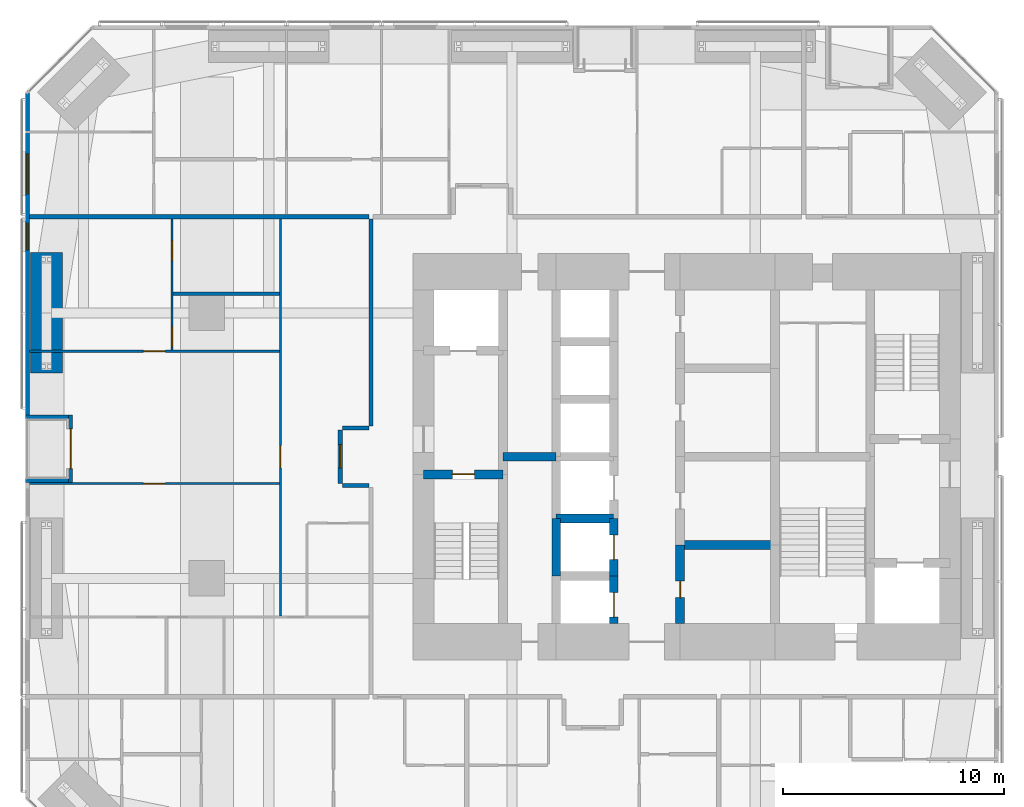
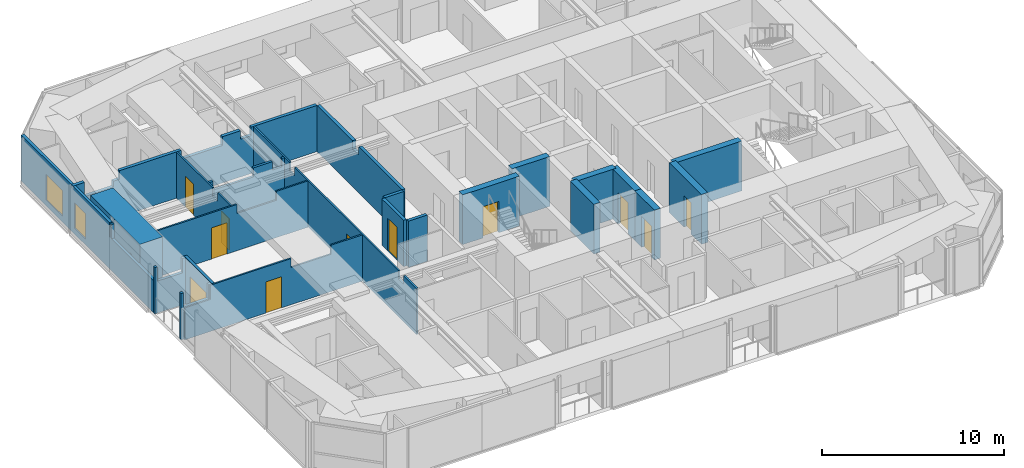
# One storey, part 18 of 23: 23 walls, 11 doors, 2 windows, 13 openings.
"""IFC4 building model written with IfcOpenShell, lengths in metres."""

from ifc_helpers import new_model, si_unit, direction, frame, frame_2d, origin, place, context, subcontext, project, spatial, polyline, rectangle, outline, extrude, material, layer, layer_set, constituent, constituent_set, type_object, element, fill, save


model = new_model("IFC4")

# Units and contexts
model_context = context("Model", 3, precision=1e-05, world=origin(), true_north=direction((0.0, 1.0)))
body_context = subcontext(model_context, "Body", "Model", "MODEL_VIEW")
ifc_project = project(units=[si_unit("LENGTHUNIT", "METRE"), si_unit("AREAUNIT", "SQUARE_METRE"), si_unit("VOLUMEUNIT", "CUBIC_METRE"), si_unit("PLANEANGLEUNIT", "RADIAN"), si_unit("MASSUNIT", "GRAM", prefix="KILO")], contexts=[model_context])

# Site, building, storey
site_placement = place(None, origin())
site = spatial("IfcSite", under=ifc_project, at=site_placement, CompositionType="ELEMENT")
building_placement = place(site_placement, origin())
building = spatial("IfcBuilding", under=site, at=building_placement, Name="Jalousie Tower", CompositionType="ELEMENT")
storey_placement = place(building_placement, frame((0.0, 0.0, 24.35009765625)))
storey = spatial("IfcBuildingStorey", under=building, at=storey_placement, Name="L05", CompositionType="ELEMENT", Elevation=24.35009765625)

# Walls
ifc_material_1 = material(Name="Concrete block ASTM C90", Category="concrete")
ifc_constituent_1 = constituent(ifc_material_1, Name="Body")
ifc_material_2 = material(Name="Render")
ifc_constituent_2 = constituent(ifc_material_2, Name="Finish")
ifc_constituent_set_1 = constituent_set(constituents=[ifc_constituent_1, ifc_constituent_2])
wall_type_1 = type_object("IfcWallType", Name="BATHROOM WALL 150", PredefinedType="PLUMBINGWALL", material=ifc_constituent_set_1)
wall_1_placement = place(storey_placement, frame((8.675048828125, 25.875, 0.0), z_axis=(0.0, 0.0, 1.0), x_axis=(1.0, 0.0, 0.0)))
element("IfcWall", 1, at=wall_1_placement, inside=storey, type_object=wall_type_1, Name="Bathroom Wall 150 L05", PredefinedType="PLUMBINGWALL", context=body_context, shape_type="SweptSolid", body=[
    extrude(outline(polyline([(0.0, 0.0), (4.800048828125, 0.0), (4.800048828125, 3.10986328125), (4.63720703125, 3.10986328125), (4.63720703125, 2.541015625), (4.0126953125, 2.541015625), (4.0126953125, 3.10986328125), (2.81005859375, 3.10986328125), (2.81005859375, 2.510009765625), (0.239990234375, 2.510009765625), (0.239990234375, 3.10986328125), (0.0, 3.10986328125), (0.0, 0.0)])), frame((0.0, 0.074951171875, 0.0), z_axis=(0.0, -1.0, 0.0), x_axis=(1.0, 0.0, 0.0)), (0.0, 0.0, 1.0), 0.14990234375),
])
ifc_material_3 = material(Name="Concrete f'c 120 MPa", Category="concrete")
ifc_layer_1 = layer(ifc_material_3, 0.39990234375)
ifc_layer_set_1 = layer_set([ifc_layer_1], Name="Concrete f'c 120 MPa")
wall_type_2 = type_object("IfcWallType", Name="CORE WALL 400", PredefinedType="SHEAR", material=ifc_layer_set_1)
wall_2_placement = place(storey_placement, frame((26.0, 13.10009765625, 0.0), z_axis=(0.0, 0.0, 1.0), x_axis=(0.0, 1.0, 0.0)))
element("IfcWall", 2, at=wall_2_placement, inside=storey, type_object=wall_type_2, Name="Core wall X26B L05", PredefinedType="SHEAR", context=body_context, shape_type="SweptSolid", body=[
    extrude(rectangle(XDim=2.599853515625, YDim=0.39990234375, at=frame_2d((1.2998046875, 0.0))), origin(), (0.0, 0.0, 1.0), 3.349853515625),
])

# Wall, opening, door
wall_3_placement = place(storey_placement, frame((28.60009765625, 10.949951171875, 0.0), z_axis=(0.0, 0.0, 1.0), x_axis=(0.0, 1.0, 0.0)))
wall_3 = element("IfcWall", 3, at=wall_3_placement, inside=storey, type_object=wall_type_2, Name="Core wall X28.6A L05", PredefinedType="SHEAR", context=body_context, shape_type="SweptSolid", body=[
    extrude(rectangle(XDim=2.150146484375, YDim=0.39990234375, at=frame_2d((1.0751953125, 0.0))), origin(), (0.0, 0.0, 1.0), 3.349853515625),
])
opening_1_placement = place(wall_3_placement, frame((0.300048828125, 0.0, 0.0)))
opening_1 = element("IfcOpeningElement", 4, at=opening_1_placement, cuts=wall_3, Name="Opening LD1", PredefinedType="OPENING", context=body_context, shape_type="SweptSolid", body=[
    extrude(rectangle(XDim=1.10009765625, YDim=2.10009765625, at=frame_2d((0.550048828125, 1.050048828125))), frame((0.0, 0.2099609375, 0.0), z_axis=(0.0, -1.0, 0.0), x_axis=(1.0, 0.0, 0.0)), (0.0, 0.0, 1.0), 0.419921875),
])
ifc_material_4 = material(Name="Steel lift landing door", Category="steel")
door_type_1 = type_object("IfcDoorType", Name="LIFT LANDING DOOR 1100", OperationType="SLIDING_TO_LEFT", PredefinedType="DOOR", material=ifc_material_4)
door_1_placement = place(opening_1_placement, origin())
door_1 = element("IfcDoor", 5, at=door_1_placement, inside=storey, type_object=door_type_1, Name="Lift P1 landing door", OperationType="SLIDING_TO_LEFT", OverallHeight=2.10009765625, OverallWidth=1.10009765625, PredefinedType="DOOR", context=body_context, shape_type="SweptSolid", body=[
    extrude(rectangle(XDim=1.10009765625, YDim=2.10009765625, at=frame_2d((0.550048828125, 1.050048828125))), frame((0.0, 0.02490234375, 0.0), z_axis=(0.0, -1.0, 0.0), x_axis=(1.0, 0.0, 0.0)), (0.0, 0.0, 1.0), 0.050048828125),
])
fill(opening_1, door_1)

wall_4_placement = place(storey_placement, frame((28.60009765625, 13.10009765625, 0.0), z_axis=(0.0, 0.0, 1.0), x_axis=(0.0, 1.0, 0.0)))
wall_4 = element("IfcWall", 6, at=wall_4_placement, inside=storey, type_object=wall_type_2, Name="Core wall X28.6B L05", PredefinedType="SHEAR", context=body_context, shape_type="SweptSolid", body=[
    extrude(rectangle(XDim=2.599853515625, YDim=0.39990234375, at=frame_2d((1.2998046875, 0.0))), origin(), (0.0, 0.0, 1.0), 3.349853515625),
])
opening_2_placement = place(wall_4_placement, frame((0.75, 0.0, 0.0)))
opening_2 = element("IfcOpeningElement", 7, at=opening_2_placement, cuts=wall_4, Name="Opening LD1", PredefinedType="OPENING", context=body_context, shape_type="SweptSolid", body=[
    extrude(rectangle(XDim=1.10009765625, YDim=2.10009765625, at=frame_2d((0.550048828125, 1.050048828125))), frame((0.0, 0.2099609375, 0.0), z_axis=(0.0, -1.0, 0.0), x_axis=(1.0, 0.0, 0.0)), (0.0, 0.0, 1.0), 0.419921875),
])
door_2_placement = place(opening_2_placement, origin())
door_2 = element("IfcDoor", 8, at=door_2_placement, inside=storey, type_object=door_type_1, Name="Lift P2 landing door", OperationType="SLIDING_TO_LEFT", OverallHeight=2.10009765625, OverallWidth=1.10009765625, PredefinedType="DOOR", context=body_context, shape_type="SweptSolid", body=[
    extrude(rectangle(XDim=1.10009765625, YDim=2.10009765625, at=frame_2d((0.550048828125, 1.050048828125))), frame((0.0, 0.02490234375, 0.0), z_axis=(0.0, -1.0, 0.0), x_axis=(1.0, 0.0, 0.0)), (0.0, 0.0, 1.0), 0.050048828125),
])
fill(opening_2, door_2)

wall_5_placement = place(storey_placement, frame((31.60009765625, 10.949951171875, 0.0), z_axis=(0.0, 0.0, 1.0), x_axis=(0.0, 1.0, 0.0)))
wall_5 = element("IfcWall", 9, at=wall_5_placement, inside=storey, type_object=wall_type_2, Name="Core wall X31.6A L05", PredefinedType="SHEAR", context=body_context, shape_type="SweptSolid", body=[
    extrude(rectangle(XDim=3.550048828125, YDim=0.39990234375, at=frame_2d((1.77490234375, 0.0))), origin(), (0.0, 0.0, 1.0), 3.349853515625),
])
opening_3_placement = place(wall_5_placement, frame((1.175048828125, 0.0, 0.0)))
opening_3 = element("IfcOpeningElement", 10, at=opening_3_placement, cuts=wall_5, Name="Opening D16", PredefinedType="OPENING", context=body_context, shape_type="SweptSolid", body=[
    extrude(rectangle(XDim=0.75, YDim=2.10009765625, at=frame_2d((0.375, 1.050048828125))), frame((0.0, 0.2099609375, 0.0), z_axis=(0.0, -1.0, 0.0), x_axis=(1.0, 0.0, 0.0)), (0.0, 0.0, 1.0), 0.419921875),
])
ifc_material_5 = material(Name="Steel fire door", Category="steel")
door_type_2 = type_object("IfcDoorType", Name="RISER DOOR 750", OperationType="SINGLE_SWING_LEFT", PredefinedType="DOOR", material=ifc_material_5)
door_3_placement = place(opening_3_placement, frame((0.75, 0.0, 0.0), z_axis=(0.0, 0.0, 1.0), x_axis=(-1.0, 0.0, 0.0)))
door_3 = element("IfcDoor", 11, at=door_3_placement, inside=storey, type_object=door_type_2, Name="Refuse Room door", OperationType="SINGLE_SWING_RIGHT", OverallHeight=2.10009765625, OverallWidth=0.75, PredefinedType="DOOR", context=body_context, shape_type="SweptSolid", body=[
    extrude(rectangle(XDim=0.75, YDim=2.10009765625, at=frame_2d((0.375, 1.050048828125))), frame((0.0, 0.02490234375, 0.0), z_axis=(0.0, -1.0, 0.0), x_axis=(1.0, 0.0, 0.0)), (0.0, 0.0, 1.0), 0.050048828125),
])
fill(opening_3, door_3)

wall_6_placement = place(storey_placement, frame((20.0, 17.699951171875, 0.0), z_axis=(0.0, 0.0, 1.0), x_axis=(1.0, 0.0, 0.0)))
wall_6 = element("IfcWall", 12, at=wall_6_placement, inside=storey, type_object=wall_type_2, Name="Core wall Y20-17.7 L05", PredefinedType="SHEAR", context=body_context, shape_type="SweptSolid", body=[
    extrude(rectangle(XDim=3.60009765625, YDim=0.39990234375, at=frame_2d((1.800048828125, 0.0))), origin(), (0.0, 0.0, 1.0), 3.349853515625),
])
opening_4_placement = place(wall_6_placement, frame((1.300048828125, 0.0, 0.0)))
opening_4 = element("IfcOpeningElement", 13, at=opening_4_placement, cuts=wall_6, Name="Opening D10", PredefinedType="OPENING", context=body_context, shape_type="SweptSolid", body=[
    extrude(rectangle(XDim=1.0, YDim=2.10009765625, at=frame_2d((0.5, 1.050048828125))), frame((0.0, 0.2099609375, 0.0), z_axis=(0.0, -1.0, 0.0), x_axis=(1.0, 0.0, 0.0)), (0.0, 0.0, 1.0), 0.419921875),
])
ifc_material_6 = material(Name="Steel fire door", Category="steel")
door_type_3 = type_object("IfcDoorType", Name="STAIR DOOR 1000", OperationType="SINGLE_SWING_LEFT", PredefinedType="DOOR", material=ifc_material_6)
door_4_placement = place(opening_4_placement, frame((1.0, 0.0, 0.0), z_axis=(0.0, 0.0, 1.0), x_axis=(-1.0, 0.0, 0.0)))
door_4 = element("IfcDoor", 14, at=door_4_placement, inside=storey, type_object=door_type_3, Name="Exit stair A door", OperationType="SINGLE_SWING_RIGHT", OverallHeight=2.10009765625, OverallWidth=1.0, PredefinedType="DOOR", context=body_context, shape_type="SweptSolid", body=[
    extrude(rectangle(XDim=1.0, YDim=2.10009765625, at=frame_2d((0.5, 1.050048828125))), frame((0.0, 0.02490234375, 0.0), z_axis=(0.0, -1.0, 0.0), x_axis=(1.0, 0.0, 0.0)), (0.0, 0.0, 1.0), 0.050048828125),
])
fill(opening_4, door_4)

# Walls
wall_7_placement = place(storey_placement, frame((23.60009765625, 18.5, 0.0), z_axis=(0.0, 0.0, 1.0), x_axis=(1.0, 0.0, 0.0)))
element("IfcWall", 15, at=wall_7_placement, inside=storey, type_object=wall_type_2, Name="Core wall Y23.6-18.5 L05", PredefinedType="SHEAR", context=body_context, shape_type="SweptSolid", body=[
    extrude(rectangle(XDim=2.39990234375, YDim=0.39990234375, at=frame_2d((1.199951171875, 0.0))), origin(), (0.0, 0.0, 1.0), 3.349853515625),
])
wall_8_placement = place(storey_placement, frame((26.0, 15.699951171875, 0.0), z_axis=(0.0, 0.0, 1.0), x_axis=(1.0, 0.0, 0.0)))
element("IfcWall", 16, at=wall_8_placement, inside=storey, type_object=wall_type_2, Name="Core wall Y26-15.7 L05", PredefinedType="SHEAR", context=body_context, shape_type="SweptSolid", body=[
    extrude(rectangle(XDim=2.60009765625, YDim=0.39990234375, at=frame_2d((1.300048828125, 0.0))), origin(), (0.0, 0.0, 1.0), 3.349853515625),
])
wall_9_placement = place(storey_placement, frame((31.60009765625, 14.5, 0.0), z_axis=(0.0, 0.0, 1.0), x_axis=(1.0, 0.0, 0.0)))
element("IfcWall", 17, at=wall_9_placement, inside=storey, type_object=wall_type_2, Name="Core wall Y31.6-14.5 L05", PredefinedType="SHEAR", context=body_context, shape_type="SweptSolid", body=[
    extrude(rectangle(XDim=4.2998046875, YDim=0.39990234375, at=frame_2d((2.14990234375, 0.0))), origin(), (0.0, 0.0, 1.0), 3.349853515625),
])
ifc_material_7 = material(Name="Concrete block ASTM C90", Category="concrete")
ifc_constituent_3 = constituent(ifc_material_7, Name="Body")
ifc_material_8 = material(Name="Render")
ifc_constituent_4 = constituent(ifc_material_8, Name="Finish")
ifc_constituent_set_2 = constituent_set(constituents=[ifc_constituent_3, ifc_constituent_4])
wall_type_3 = type_object("IfcWallType", Name="CORRIDOR WALL 200", PredefinedType="PARTITIONING", material=ifc_constituent_set_2)
wall_10_placement = place(storey_placement, frame((17.625, 19.89990234375, 0.0), z_axis=(0.0, 0.0, 1.0), x_axis=(0.0, 1.0, 0.0)))
element("IfcWall", 18, at=wall_10_placement, inside=storey, type_object=wall_type_3, Name="Corridor Wall 200 L05", PredefinedType="PARTITIONING", context=body_context, shape_type="SweptSolid", body=[
    extrude(outline(polyline([(0.0, 0.0), (9.35009765625, 0.0), (9.35009765625, 3.10986328125), (5.437255859375, 3.10986328125), (5.437255859375, 2.541015625), (4.7626953125, 2.541015625), (4.7626953125, 3.10986328125), (0.0, 3.10986328125), (0.0, 0.0)])), frame((0.0, 0.10009765625, 0.0), z_axis=(0.0, -1.0, 0.0), x_axis=(1.0, 0.0, 0.0)), (0.0, 0.0, 1.0), 0.199951171875),
])

# Wall, opening, door
wall_11_placement = place(storey_placement, frame((16.22509765625, 17.300048828125, 0.0), z_axis=(0.0, 0.0, 1.0), x_axis=(0.0, 1.0, 0.0)))
wall_11 = element("IfcWall", 19, at=wall_11_placement, inside=storey, type_object=wall_type_3, Name="Corridor Wall 200 L05", PredefinedType="PARTITIONING", context=body_context, shape_type="SweptSolid", body=[
    extrude(rectangle(XDim=2.39990234375, YDim=0.199951171875, at=frame_2d((1.199951171875, 0.0))), origin(), (0.0, 0.0, 1.0), 3.10986328125),
])
opening_5_placement = place(wall_11_placement, frame((0.699951171875, 0.0, 0.0)))
opening_5 = element("IfcOpeningElement", 20, at=opening_5_placement, cuts=wall_11, Name="Opening D1", PredefinedType="OPENING", context=body_context, shape_type="SweptSolid", body=[
    extrude(rectangle(XDim=1.050048828125, YDim=2.199951171875, at=frame_2d((0.52490234375, 1.10009765625))), frame((0.0, 0.10986328125, 0.0), z_axis=(0.0, -1.0, 0.0), x_axis=(1.0, 0.0, 0.0)), (0.0, 0.0, 1.0), 0.219970703125),
])
ifc_material_9 = material(Name="Timber fire door", Category="wood")
door_type_4 = type_object("IfcDoorType", Name="APARTMENT ENTRANCE DOOR 1050", OperationType="SINGLE_SWING_LEFT", PredefinedType="DOOR", material=ifc_material_9)
door_5_placement = place(opening_5_placement, origin())
door_5 = element("IfcDoor", 21, at=door_5_placement, inside=storey, type_object=door_type_4, Name="Apartment 0506 entrance", OperationType="SINGLE_SWING_LEFT", OverallHeight=2.199951171875, OverallWidth=1.050048828125, PredefinedType="DOOR", context=body_context, shape_type="SweptSolid", body=[
    extrude(rectangle(XDim=1.050048828125, YDim=2.199951171875, at=frame_2d((0.52490234375, 1.10009765625))), frame((0.0, 0.02490234375, 0.0), z_axis=(0.0, -1.0, 0.0), x_axis=(1.0, 0.0, 0.0)), (0.0, 0.0, 1.0), 0.050048828125),
])
fill(opening_5, door_5)

# Walls
for number, where, z_axis, x_axis, name in (
    (22, (17.52490234375, 17.199951171875, 0.0), (0.0, 0.0, 1.0), (-1.0, 0.0, 0.0), "Corridor Wall 200 L05"),
    (23, (17.52490234375, 19.800048828125, 0.0), (0.0, 0.0, 1.0), (-1.0, 0.0, 0.0), "Corridor Wall 200 L05"),
):
    element("IfcWall", number, at=place(storey_placement, frame(where, z_axis=z_axis, x_axis=x_axis)), inside=storey, type_object=wall_type_3, Name=name, PredefinedType="PARTITIONING", context=body_context, shape_type="SweptSolid", body=[
        extrude(rectangle(XDim=1.199951171875, YDim=0.199951171875, at=frame_2d((0.60009765625, 0.0))), origin(), (0.0, 0.0, 1.0), 3.10986328125),
    ])

# Wall, openings, windows
ifc_material_10 = material(Name="Concrete f'c 40 MPa", Category="concrete")
ifc_constituent_5 = constituent(ifc_material_10, Name="Body")
ifc_material_11 = material(Name="Render, pastel coral")
ifc_constituent_6 = constituent(ifc_material_11, Name="Finish")
ifc_constituent_set_3 = constituent_set(constituents=[ifc_constituent_5, ifc_constituent_6])
wall_type_4 = type_object("IfcWallType", Name="EXTERNAL WALL 175 CORAL RENDER", PredefinedType="SOLIDWALL", material=ifc_constituent_set_3)
wall_12_placement = place(storey_placement, frame((2.08740234375, 34.94873046875, 0.0), z_axis=(0.0, 0.0, 1.0), x_axis=(0.0, -1.0, 0.0)))
wall_12 = element("IfcWall", 24, at=wall_12_placement, inside=storey, type_object=wall_type_4, Name="External Wall 175 Coral Render L05", PredefinedType="SOLIDWALL", context=body_context, shape_type="SweptSolid", body=[
    extrude(outline(polyline([(0.0, 0.0), (14.55712890625, 0.0), (14.556884765625, 2.14990234375), (9.94873046875, 2.14990234375), (9.94873046875, 3.10986328125), (9.822998046875, 3.10986328125), (9.822998046875, 2.14990234375), (9.72998046875, 2.14990234375), (9.72998046875, 3.10986328125), (0.0, 3.10986328125), (0.0, 0.0)])), frame((0.0, 0.08740234375, 0.0), z_axis=(0.0, -1.0, 0.0), x_axis=(1.0, 0.0, 0.0)), (0.0, 0.0, 1.0), 0.175048828125),
])
opening_6_placement = place(wall_12_placement, frame((2.75732421875, 0.0, 0.39990234375)))
opening_6 = element("IfcOpeningElement", 25, at=opening_6_placement, cuts=wall_12, Name="Opening W-BED170", PredefinedType="OPENING", context=body_context, shape_type="SweptSolid", body=[
    extrude(rectangle(XDim=1.800048828125, YDim=1.699951171875, at=frame_2d((0.89990234375, 0.85009765625))), frame((0.0, 0.097412109375, 0.0), z_axis=(0.0, -1.0, 0.0), x_axis=(1.0, 0.0, 0.0)), (0.0, 0.0, 1.0), 0.195068359375),
])
opening_7_placement = place(wall_12_placement, frame((5.898681640625, 0.0, 0.39990234375)))
opening_7 = element("IfcOpeningElement", 26, at=opening_7_placement, cuts=wall_12, Name="Opening W-COR170", PredefinedType="OPENING", context=body_context, shape_type="SweptSolid", body=[
    extrude(rectangle(XDim=1.199951171875, YDim=1.699951171875, at=frame_2d((0.60009765625, 0.85009765625))), frame((0.0, 0.097412109375, 0.0), z_axis=(0.0, -1.0, 0.0), x_axis=(1.0, 0.0, 0.0)), (0.0, 0.0, 1.0), 0.195068359375),
])
ifc_material_12 = material(Name="Aluminium frame, impact-rated glazing", Category="aluminium")
window_type_1 = type_object("IfcWindowType", Name="WINDOW BED 1800x1700", PartitioningType="SINGLE_PANEL", PredefinedType="WINDOW", material=ifc_material_12)
window_1_placement = place(opening_6_placement, origin())
window_1 = element("IfcWindow", 27, at=window_1_placement, inside=storey, type_object=window_type_1, Name="Apartment 0504 bedroom 1 window", OverallHeight=1.699951171875, OverallWidth=1.800048828125, PartitioningType="SINGLE_PANEL", PredefinedType="WINDOW", context=body_context, shape_type="SweptSolid", body=[
    extrude(rectangle(XDim=1.800048828125, YDim=1.699951171875, at=frame_2d((0.89990234375, 0.85009765625))), frame((0.0, 0.030029296875, 0.0), z_axis=(0.0, -1.0, 0.0), x_axis=(1.0, 0.0, 0.0)), (0.0, 0.0, 1.0), 0.06005859375),
])
fill(opening_6, window_1)
ifc_material_13 = material(Name="Aluminium frame, impact-rated glazing", Category="aluminium")
window_type_2 = type_object("IfcWindowType", Name="WINDOW COR 1200x1700", PartitioningType="SINGLE_PANEL", PredefinedType="WINDOW", material=ifc_material_13)
window_2_placement = place(opening_7_placement, origin())
window_2 = element("IfcWindow", 28, at=window_2_placement, inside=storey, type_object=window_type_2, Name="Apartment 0506 bedroom 2 window", OverallHeight=1.699951171875, OverallWidth=1.199951171875, PartitioningType="SINGLE_PANEL", PredefinedType="WINDOW", context=body_context, shape_type="SweptSolid", body=[
    extrude(rectangle(XDim=1.199951171875, YDim=1.699951171875, at=frame_2d((0.60009765625, 0.85009765625))), frame((0.0, 0.030029296875, 0.0), z_axis=(0.0, -1.0, 0.0), x_axis=(1.0, 0.0, 0.0)), (0.0, 0.0, 1.0), 0.06005859375),
])
fill(opening_7, window_2)

# Wall, opening, door
wall_13_placement = place(storey_placement, frame((4.03759765625, 20.3916015625, 0.0), z_axis=(0.0, 0.0, 1.0), x_axis=(0.0, -1.0, 0.0)))
wall_13 = element("IfcWall", 29, at=wall_13_placement, inside=storey, type_object=wall_type_4, Name="External Wall 175 Coral Render L05", PredefinedType="SOLIDWALL", context=body_context, shape_type="SweptSolid", body=[
    extrude(rectangle(XDim=3.058349609375, YDim=0.175048828125, at=frame_2d((1.529296875, 0.0))), origin(), (0.0, 0.0, 1.0), 3.10986328125),
])
opening_8_placement = place(wall_13_placement, frame((0.629150390625, 0.0, 0.0)))
opening_8 = element("IfcOpeningElement", 30, at=opening_8_placement, cuts=wall_13, Name="Opening D-BAL21", PredefinedType="OPENING", context=body_context, shape_type="SweptSolid", body=[
    extrude(rectangle(XDim=1.800048828125, YDim=2.10009765625, at=frame_2d((0.89990234375, 1.050048828125))), frame((0.0, 0.097412109375, 0.0), z_axis=(0.0, -1.0, 0.0), x_axis=(1.0, 0.0, 0.0)), (0.0, 0.0, 1.0), 0.195068359375),
])
ifc_material_14 = material(Name="Aluminium frame, impact-rated glazing", Category="aluminium")
door_type_5 = type_object("IfcDoorType", Name="BALCONY DOOR 1800x2100", OperationType="SLIDING_TO_LEFT", PredefinedType="DOOR", material=ifc_material_14)
door_6_placement = place(opening_8_placement, origin())
door_6 = element("IfcDoor", 31, at=door_6_placement, inside=storey, type_object=door_type_5, Name="Apartment 0506 living room loggia door", OperationType="SLIDING_TO_LEFT", OverallHeight=2.10009765625, OverallWidth=1.800048828125, PredefinedType="DOOR", context=body_context, shape_type="SweptSolid", body=[
    extrude(rectangle(XDim=1.800048828125, YDim=2.10009765625, at=frame_2d((0.89990234375, 1.050048828125))), frame((0.0, 0.02490234375, 0.0), z_axis=(0.0, -1.0, 0.0), x_axis=(1.0, 0.0, 0.0)), (0.0, 0.0, 1.0), 0.050048828125),
])
fill(opening_8, door_6)

# Walls
for number, where, z_axis, x_axis, name in (
    (32, (2.0, 20.30419921875, 0.0), (0.0, 0.0, 1.0), (1.0, 0.0, 0.0), "External Wall 175 Coral Render L05"),
    (33, (2.0, 17.4208984375, 0.0), (0.0, 0.0, 1.0), (1.0, 0.0, 0.0), "External Wall 175 Coral Render L05"),
):
    element("IfcWall", number, at=place(storey_placement, frame(where, z_axis=z_axis, x_axis=x_axis)), inside=storey, type_object=wall_type_4, Name=name, PredefinedType="SOLIDWALL", context=body_context, shape_type="SweptSolid", body=[
        extrude(outline(polyline([(0.0, 0.0), (1.949951171875, 0.0), (1.949951171875, 3.10986328125), (1.75, 3.10986328125), (1.75, 2.14990234375), (0.14990234375, 2.14990234375), (0.14990234375, 3.10986328125), (0.0, 3.10986328125), (0.0, 0.0)])), frame((0.0, 0.08740234375, 0.0), z_axis=(0.0, -1.0, 0.0), x_axis=(1.0, 0.0, 0.0)), (0.0, 0.0, 1.0), 0.175048828125),
    ])

# Wall, opening, door
ifc_material_15 = material(Name="Gypsum board", Category="gypsum")
ifc_constituent_7 = constituent(ifc_material_15, Name="Body")
ifc_material_16 = material(Name="Light-gauge steel studs ASTM A653 SS Grade 33", Category="steel")
ifc_constituent_8 = constituent(ifc_material_16, Name="Framing")
ifc_constituent_set_4 = constituent_set(constituents=[ifc_constituent_7, ifc_constituent_8])
wall_type_5 = type_object("IfcWallType", Name="PARTITION 100", PredefinedType="PARTITIONING", material=ifc_constituent_set_4)
wall_14_placement = place(storey_placement, frame((13.52490234375, 11.300048828125, 0.0), z_axis=(0.0, 0.0, 1.0), x_axis=(0.0, 1.0, 0.0)))
wall_14 = element("IfcWall", 34, at=wall_14_placement, inside=storey, type_object=wall_type_5, Name="Partition 100 L05", PredefinedType="PARTITIONING", context=body_context, shape_type="SweptSolid", body=[
    extrude(outline(polyline([(0.0, 0.0), (17.949951171875, 0.0), (17.949951171875, 3.10986328125), (13.9873046875, 3.10986328125), (13.9873046875, 2.541015625), (13.41259765625, 2.541015625), (13.41259765625, 3.10986328125), (1.9873046875, 3.10986328125), (1.9873046875, 2.541015625), (1.41259765625, 2.541015625), (1.41259765625, 3.10986328125), (0.0, 3.10986328125), (0.0, 0.0)])), frame((0.0, 0.050048828125, 0.0), z_axis=(0.0, -1.0, 0.0), x_axis=(1.0, 0.0, 0.0)), (0.0, 0.0, 1.0), 0.10009765625),
])
opening_9_placement = place(wall_14_placement, frame((6.699951171875, 0.0, 0.0)))
opening_9 = element("IfcOpeningElement", 35, at=opening_9_placement, cuts=wall_14, Name="Opening D6", PredefinedType="OPENING", context=body_context, shape_type="SweptSolid", body=[
    extrude(rectangle(XDim=1.0, YDim=2.10009765625, at=frame_2d((0.5, 1.050048828125))), frame((0.0, 0.06005859375, 0.0), z_axis=(0.0, -1.0, 0.0), x_axis=(1.0, 0.0, 0.0)), (0.0, 0.0, 1.0), 0.1201171875),
])
ifc_material_17 = material(Name="Timber door", Category="wood")
door_type_6 = type_object("IfcDoorType", Name="INTERNAL DOOR 1000", OperationType="SINGLE_SWING_LEFT", PredefinedType="DOOR", material=ifc_material_17)
door_7_placement = place(opening_9_placement, origin())
door_7 = element("IfcDoor", 36, at=door_7_placement, inside=storey, type_object=door_type_6, Name="Apartment 0506 living room door", OperationType="SINGLE_SWING_LEFT", OverallHeight=2.10009765625, OverallWidth=1.0, PredefinedType="DOOR", context=body_context, shape_type="SweptSolid", body=[
    extrude(rectangle(XDim=1.0, YDim=2.10009765625, at=frame_2d((0.5, 1.050048828125))), frame((0.0, 0.02490234375, 0.0), z_axis=(0.0, -1.0, 0.0), x_axis=(1.0, 0.0, 0.0)), (0.0, 0.0, 1.0), 0.050048828125),
])
fill(opening_9, door_7)

wall_15_placement = place(storey_placement, frame((2.175048828125, 17.283203125, 0.0), z_axis=(0.0, 0.0, 1.0), x_axis=(1.0, 0.0, 0.0)))
wall_15 = element("IfcWall", 37, at=wall_15_placement, inside=storey, type_object=wall_type_5, Name="Partition 100 L05", PredefinedType="PARTITIONING", context=body_context, shape_type="SweptSolid", body=[
    extrude(outline(polyline([(0.0, 0.0), (11.300048828125, 0.0), (11.300048828125, 3.10986328125), (9.284912109375, 3.10986328125), (9.284912109375, 2.510009765625), (6.764892578125, 2.510009765625), (6.764892578125, 3.10986328125), (1.635009765625, 3.10986328125), (1.635009765625, 2.14990234375), (0.0, 2.14990234375), (0.0, 3.10986328125), (0.0, 0.0)])), frame((0.0, 0.050048828125, 0.0), z_axis=(0.0, -1.0, 0.0), x_axis=(1.0, 0.0, 0.0)), (0.0, 0.0, 1.0), 0.10009765625),
])
opening_10_placement = place(wall_15_placement, frame((5.14990234375, 0.0, 0.0)))
opening_10 = element("IfcOpeningElement", 38, at=opening_10_placement, cuts=wall_15, Name="Opening D6", PredefinedType="OPENING", context=body_context, shape_type="SweptSolid", body=[
    extrude(rectangle(XDim=1.0, YDim=2.10009765625, at=frame_2d((0.5, 1.050048828125))), frame((0.0, 0.06005859375, 0.0), z_axis=(0.0, -1.0, 0.0), x_axis=(1.0, 0.0, 0.0)), (0.0, 0.0, 1.0), 0.1201171875),
])
door_8_placement = place(opening_10_placement, frame((1.0, 0.0, 0.0), z_axis=(0.0, 0.0, 1.0), x_axis=(-1.0, 0.0, 0.0)))
door_8 = element("IfcDoor", 39, at=door_8_placement, inside=storey, type_object=door_type_6, Name="Apartment 0506 dining room door", OperationType="SINGLE_SWING_RIGHT", OverallHeight=2.10009765625, OverallWidth=1.0, PredefinedType="DOOR", context=body_context, shape_type="SweptSolid", body=[
    extrude(rectangle(XDim=1.0, YDim=2.10009765625, at=frame_2d((0.5, 1.050048828125))), frame((0.0, 0.02490234375, 0.0), z_axis=(0.0, -1.0, 0.0), x_axis=(1.0, 0.0, 0.0)), (0.0, 0.0, 1.0), 0.050048828125),
])
fill(opening_10, door_8)

wall_16_placement = place(storey_placement, frame((2.175048828125, 23.2666015625, 0.0), z_axis=(0.0, 0.0, 1.0), x_axis=(1.0, 0.0, 0.0)))
wall_16 = element("IfcWall", 40, at=wall_16_placement, inside=storey, type_object=wall_type_5, Name="Partition 100 L05", PredefinedType="PARTITIONING", context=body_context, shape_type="SweptSolid", body=[
    extrude(outline(polyline([(0.52880859375, 2.14990234375), (0.0, 2.14990234375), (0.0, 0.0), (0.52880859375, 0.0), (0.52880859375, 0.274169921875), (1.021240234375, 0.274169921875), (1.021240234375, 0.0), (11.300048828125, 0.0), (11.300048828125, 3.10986328125), (9.284912109375, 3.10986328125), (9.284912109375, 2.510009765625), (6.764892578125, 2.510009765625), (6.764892578125, 3.10986328125), (1.635009765625, 3.10986328125), (1.635009765625, 2.14990234375), (1.021240234375, 2.14990234375), (1.021240234375, 1.875732421875), (0.52880859375, 1.875732421875), (0.52880859375, 2.14990234375)])), frame((0.0, 0.050048828125, 0.0), z_axis=(0.0, -1.0, 0.0), x_axis=(1.0, 0.0, 0.0)), (0.0, 0.0, 1.0), 0.10009765625),
])
opening_11_placement = place(wall_16_placement, frame((5.14990234375, 0.0, 0.0)))
opening_11 = element("IfcOpeningElement", 41, at=opening_11_placement, cuts=wall_16, Name="Opening D6", PredefinedType="OPENING", context=body_context, shape_type="SweptSolid", body=[
    extrude(rectangle(XDim=1.0, YDim=2.10009765625, at=frame_2d((0.5, 1.050048828125))), frame((0.0, 0.06005859375, 0.0), z_axis=(0.0, -1.0, 0.0), x_axis=(1.0, 0.0, 0.0)), (0.0, 0.0, 1.0), 0.1201171875),
])
door_9_placement = place(opening_11_placement, origin())
door_9 = element("IfcDoor", 42, at=door_9_placement, inside=storey, type_object=door_type_6, Name="Apartment 0506 bedroom 2 door", OperationType="SINGLE_SWING_RIGHT", OverallHeight=2.10009765625, OverallWidth=1.0, PredefinedType="DOOR", context=body_context, shape_type="SweptSolid", body=[
    extrude(rectangle(XDim=1.0, YDim=2.10009765625, at=frame_2d((0.5, 1.050048828125))), frame((0.0, 0.02490234375, 0.0), z_axis=(0.0, -1.0, 0.0), x_axis=(1.0, 0.0, 0.0)), (0.0, 0.0, 1.0), 0.050048828125),
])
fill(opening_11, door_9)

# Wall, openings, doors
wall_17_placement = place(storey_placement, frame((8.625, 23.316650390625, 0.0), z_axis=(0.0, 0.0, 1.0), x_axis=(0.0, 1.0, 0.0)))
wall_17 = element("IfcWall", 43, at=wall_17_placement, inside=storey, type_object=wall_type_5, Name="Partition 100 L05", PredefinedType="PARTITIONING", context=body_context, shape_type="SweptSolid", body=[
    extrude(outline(polyline([(0.0, 0.0), (5.933349609375, 0.0), (5.933349609375, 3.10986328125), (1.970703125, 3.10986328125), (1.970703125, 2.541015625), (1.39599609375, 2.541015625), (1.39599609375, 3.10986328125), (0.0, 3.10986328125), (0.0, 0.0)])), frame((0.0, 0.050048828125, 0.0), z_axis=(0.0, -1.0, 0.0), x_axis=(1.0, 0.0, 0.0)), (0.0, 0.0, 1.0), 0.10009765625),
])
opening_12_placement = place(wall_17_placement, frame((0.14990234375, 0.0, 0.0)))
opening_12 = element("IfcOpeningElement", 44, at=opening_12_placement, cuts=wall_17, Name="Opening D7", PredefinedType="OPENING", context=body_context, shape_type="SweptSolid", body=[
    extrude(rectangle(XDim=0.89990234375, YDim=2.10009765625, at=frame_2d((0.449951171875, 1.050048828125))), frame((0.0, 0.06005859375, 0.0), z_axis=(0.0, -1.0, 0.0), x_axis=(1.0, 0.0, 0.0)), (0.0, 0.0, 1.0), 0.1201171875),
])
opening_13_placement = place(wall_17_placement, frame((4.04150390625, 0.0, 0.0)))
opening_13 = element("IfcOpeningElement", 45, at=opening_13_placement, cuts=wall_17, Name="Opening D7", PredefinedType="OPENING", context=body_context, shape_type="SweptSolid", body=[
    extrude(rectangle(XDim=0.89990234375, YDim=2.10009765625, at=frame_2d((0.449951171875, 1.050048828125))), frame((0.0, 0.06005859375, 0.0), z_axis=(0.0, -1.0, 0.0), x_axis=(1.0, 0.0, 0.0)), (0.0, 0.0, 1.0), 0.1201171875),
])
ifc_material_18 = material(Name="Timber door", Category="wood")
door_type_7 = type_object("IfcDoorType", Name="INTERNAL DOOR 900", OperationType="SINGLE_SWING_LEFT", PredefinedType="DOOR", material=ifc_material_18)
door_10_placement = place(opening_12_placement, frame((0.89990234375, 0.0, 0.0), z_axis=(0.0, 0.0, 1.0), x_axis=(-1.0, 0.0, 0.0)))
door_10 = element("IfcDoor", 46, at=door_10_placement, inside=storey, type_object=door_type_7, Name="Apartment 0506 bedroom 2 bathroom door", OperationType="SINGLE_SWING_RIGHT", OverallHeight=2.10009765625, OverallWidth=0.89990234375, PredefinedType="DOOR", context=body_context, shape_type="SweptSolid", body=[
    extrude(rectangle(XDim=0.89990234375, YDim=2.10009765625, at=frame_2d((0.449951171875, 1.050048828125))), frame((0.0, 0.02490234375, 0.0), z_axis=(0.0, -1.0, 0.0), x_axis=(1.0, 0.0, 0.0)), (0.0, 0.0, 1.0), 0.050048828125),
])
fill(opening_12, door_10)
door_11_placement = place(opening_13_placement, origin())
door_11 = element("IfcDoor", 47, at=door_11_placement, inside=storey, type_object=door_type_7, Name="Apartment 0506 bedroom 2 dressing room door", OperationType="SINGLE_SWING_RIGHT", OverallHeight=2.10009765625, OverallWidth=0.89990234375, PredefinedType="DOOR", context=body_context, shape_type="SweptSolid", body=[
    extrude(rectangle(XDim=0.89990234375, YDim=2.10009765625, at=frame_2d((0.449951171875, 1.050048828125))), frame((0.0, 0.02490234375, 0.0), z_axis=(0.0, -1.0, 0.0), x_axis=(1.0, 0.0, 0.0)), (0.0, 0.0, 1.0), 0.050048828125),
])
fill(opening_13, door_11)

# Walls
ifc_material_19 = material(Name="Concrete block ASTM C90", Category="concrete")
ifc_constituent_9 = constituent(ifc_material_19, Name="Body")
ifc_material_20 = material(Name="Render")
ifc_constituent_10 = constituent(ifc_material_20, Name="Finish")
ifc_constituent_set_5 = constituent_set(constituents=[ifc_constituent_9, ifc_constituent_10])
wall_type_6 = type_object("IfcWallType", Name="PARTY WALL 200", PredefinedType="PARTITIONING", material=ifc_constituent_set_5)
wall_18_placement = place(storey_placement, frame((2.0, 29.35009765625, 0.0), z_axis=(0.0, 0.0, 1.0), x_axis=(1.0, 0.0, 0.0)))
element("IfcWall", 48, at=wall_18_placement, inside=storey, type_object=wall_type_6, Name="Party Wall 200 L05", PredefinedType="PARTITIONING", context=body_context, shape_type="SweptSolid", body=[
    extrude(outline(polyline([(0.0, 0.0), (15.52490234375, 0.0), (15.52490234375, 3.10986328125), (11.33740234375, 3.10986328125), (11.33740234375, 2.541015625), (10.66259765625, 2.541015625), (10.66259765625, 3.10986328125), (9.510009765625, 3.10986328125), (9.510009765625, 2.510009765625), (6.889892578125, 2.510009765625), (6.889892578125, 3.10986328125), (2.96875, 3.10986328125), (2.96875, 2.541015625), (2.577392578125, 2.541015625), (2.577392578125, 2.14990234375), (0.7333984375, 2.14990234375), (0.7333984375, 3.10986328125), (0.0, 3.10986328125), (0.0, 0.0)])), frame((0.0, 0.10009765625, 0.0), z_axis=(0.0, -1.0, 0.0), x_axis=(1.0, 0.0, 0.0)), (0.0, 0.0, 1.0), 0.199951171875),
])
ifc_material_21 = material(Name="Concrete f'c 120 MPa", Category="concrete")
ifc_layer_2 = layer(ifc_material_21, 1.449951171875)
ifc_layer_set_2 = layer_set([ifc_layer_2], Name="Concrete f'c 120 MPa")
wall_type_7 = type_object("IfcWallType", Name="RC WALL PIER 1450", PredefinedType="SHEAR", material=ifc_layer_set_2)
wall_19_placement = place(storey_placement, frame((2.949951171875, 22.27490234375, 0.0), z_axis=(0.0, 0.0, 1.0), x_axis=(0.0, 1.0, 0.0)))
element("IfcWall", 49, at=wall_19_placement, inside=storey, type_object=wall_type_7, Name="Wall pier 13 L05", PredefinedType="SHEAR", context=body_context, shape_type="SweptSolid", body=[
    extrude(rectangle(XDim=5.4501953125, YDim=1.449951171875, at=frame_2d((2.72509765625, 0.0))), origin(), (0.0, 0.0, 1.0), 3.349853515625),
])

save(model, "model.ifc")
